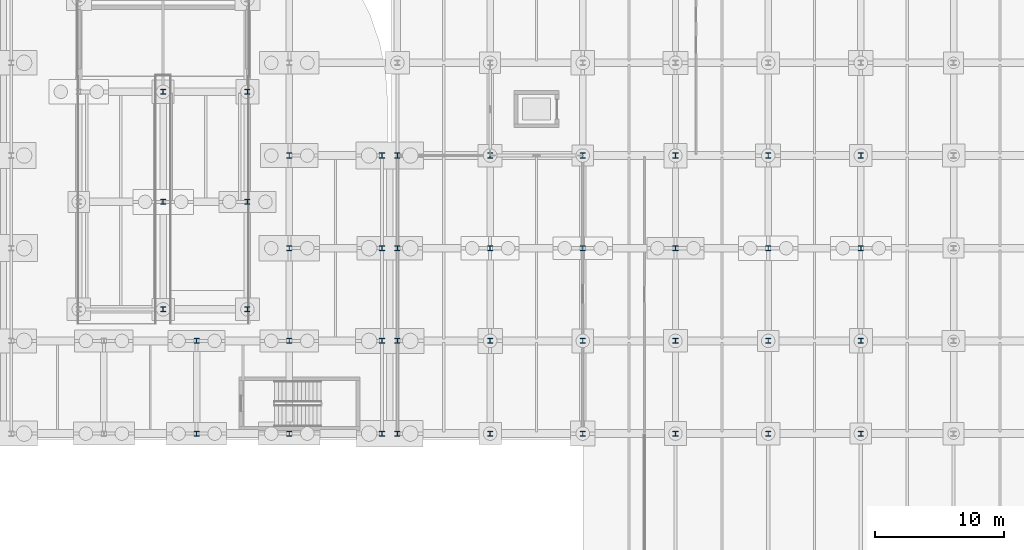
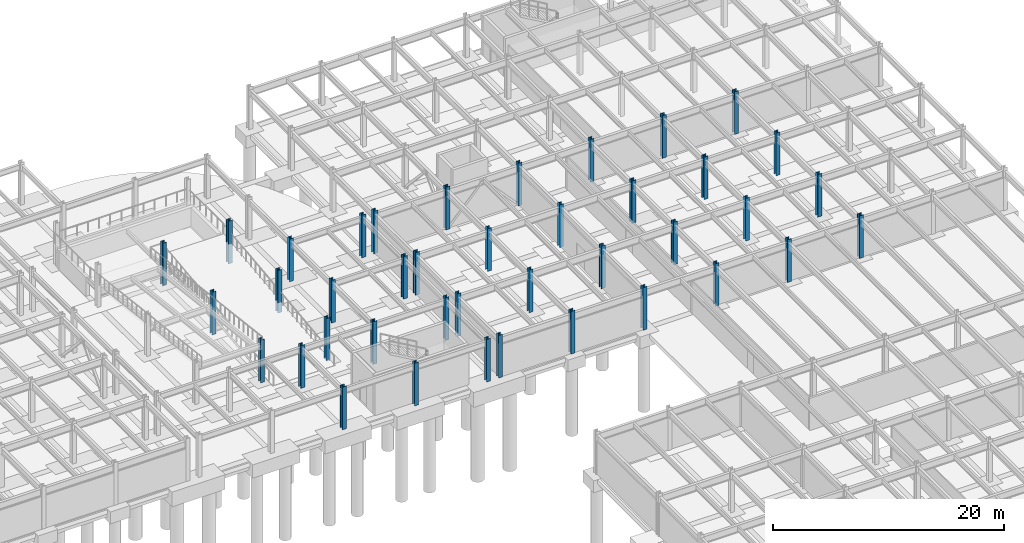
# One storey, part 25 of 54: 40 columns.
"""IFC4 building model written with IfcOpenShell, lengths in metres."""

from ifc_helpers import new_model, si_unit, direction, frame, origin, origin_2d, place, context, subcontext, project, spatial, i_section, extrude, material, material_profile, profile_set, type_object, element, save


model = new_model("IFC4")

# Units and contexts
model_context = context("Model", 3, precision=1e-05, world=origin(), true_north=direction((0.0, 1.0)))
body_context = subcontext(model_context, "Body", "Model", "MODEL_VIEW")
ifc_project = project(units=[si_unit("LENGTHUNIT", "METRE"), si_unit("AREAUNIT", "SQUARE_METRE"), si_unit("VOLUMEUNIT", "CUBIC_METRE"), si_unit("PLANEANGLEUNIT", "RADIAN"), si_unit("MASSUNIT", "GRAM", prefix="KILO")], contexts=[model_context])

# Site, building, storey
site_placement = place(None, origin())
site = spatial("IfcSite", under=ifc_project, at=site_placement, CompositionType="ELEMENT")
building_placement = place(site_placement, origin())
building = spatial("IfcBuilding", under=site, at=building_placement, Name="Vaelcorin Mobility Hub", CompositionType="ELEMENT")
storey_placement = place(building_placement, frame((0.0, 0.0, -4.5)))
storey = spatial("IfcBuildingStorey", under=building, at=storey_placement, Name="B1", CompositionType="ELEMENT", Elevation=-4.5)

# Columns
ifc_material = material(Name="Steel ASTM A992 Grade 50", Category="steel")
ifc_material_profile_1 = material_profile(ifc_material, i_section(OverallWidth=0.39599609375, OverallDepth=0.381103515625, WebThickness=0.018798828125, FlangeThickness=0.0302734375, FilletRadius=0.014892578125, at=origin_2d()), Name="W14X159")
ifc_profile_set_1 = profile_set([ifc_material_profile_1], Name="Steel ASTM A992 Grade 50")
column_type_1 = type_object("IfcColumnType", Name="COL-W14X159", PredefinedType="COLUMN", material=ifc_profile_set_1)
for number, where, z_axis, x_axis, name in (
    (1, (135.39990234375, 86.449951171875, 0.0), (0.0, 0.0, 1.0), (1.0, 0.0, 0.0), "Column V2E-RDRM-MS B1"),
    (2, (141.949951171875, 86.449951171875, 0.0), (0.0, 0.0, 1.0), (1.0, 0.0, 0.0), "Column V2E-RDRM-ES B1"),
    (3, (135.39990234375, 94.800048828125, 0.0), (0.0, 0.0, 1.0), (1.0, 0.0, 0.0), "Column V2E-RDRM-MC B1"),
    (4, (141.949951171875, 94.800048828125, 0.0), (0.0, 0.0, 1.0), (1.0, 0.0, 0.0), "Column V2E-RDRM-EC B1"),
    (5, (135.39990234375, 103.35009765625, 0.0), (0.0, 0.0, 1.0), (1.0, 0.0, 0.0), "Column V2E-RDRM-MN B1"),
    (6, (141.949951171875, 103.35009765625, 0.0), (0.0, 0.0, 1.0), (1.0, 0.0, 0.0), "Column V2E-RDRM-EN B1"),
):
    element("IfcColumn", number, at=place(storey_placement, frame(where, z_axis=z_axis, x_axis=x_axis)), inside=storey, type_object=column_type_1, Name=name, PredefinedType="COLUMN", context=body_context, shape_type="SweptSolid", body=[
        extrude(i_section(OverallWidth=0.39599609375, OverallDepth=0.381103515625, WebThickness=0.018798828125, FlangeThickness=0.0302734375, FilletRadius=0.014892578125, at=origin_2d()), origin(), (0.0, 0.0, 1.0), 4.5),
    ])
ifc_material_profile_2 = material_profile(ifc_material, i_section(OverallWidth=0.39892578125, OverallDepth=0.39404296875, WebThickness=0.022705078125, FlangeThickness=0.03662109375, FilletRadius=0.014892578125, at=origin_2d()), Name="W14X193")
ifc_profile_set_2 = profile_set([ifc_material_profile_2], Name="Steel ASTM A992 Grade 50")
column_type_2 = type_object("IfcColumnType", Name="COL-W14X193", PredefinedType="COLUMN", material=ifc_profile_set_2)
for number, where, z_axis, x_axis, name in (
    (7, (138.0, 76.800048828125, 0.0), (0.0, 0.0, 1.0), (1.0, 0.0, 0.0), "Column V2E-G3x1 B1"),
    (8, (138.0, 84.0, 0.0), (0.0, 0.0, 1.0), (1.0, 0.0, 0.0), "Column V2E-G3x2 B1"),
    (9, (145.199951171875, 76.800048828125, 0.0), (0.0, 0.0, 1.0), (1.0, 0.0, 0.0), "Column V2E-G4x1 B1"),
    (10, (145.199951171875, 84.0, 0.0), (0.0, 0.0, 1.0), (1.0, 0.0, 0.0), "Column V2E-G4x2 B1"),
    (11, (145.199951171875, 91.199951171875, 0.0), (0.0, 0.0, 1.0), (1.0, 0.0, 0.0), "Column V2E-G4x3 B1"),
    (12, (145.199951171875, 98.39990234375, 0.0), (0.0, 0.0, 1.0), (1.0, 0.0, 0.0), "Column V2E-G4x4 B1"),
    (13, (152.39990234375, 76.800048828125, 0.0), (0.0, 0.0, 1.0), (1.0, 0.0, 0.0), "Column V2E-G5x1 B1"),
    (14, (152.39990234375, 84.0, 0.0), (0.0, 0.0, 1.0), (1.0, 0.0, 0.0), "Column V2E-G5x2 B1"),
    (15, (152.39990234375, 91.199951171875, 0.0), (0.0, 0.0, 1.0), (1.0, 0.0, 0.0), "Column V2E-G5x3 B1"),
    (16, (152.39990234375, 98.39990234375, 0.0), (0.0, 0.0, 1.0), (1.0, 0.0, 0.0), "Column V2E-G5x4 B1"),
    (17, (153.60009765625, 76.800048828125, 0.0), (0.0, 0.0, 1.0), (1.0, 0.0, 0.0), "Column V5-X01Y09 B1"),
    (18, (153.60009765625, 84.0, 0.0), (0.0, 0.0, 1.0), (1.0, 0.0, 0.0), "Column V5-X01Y10 B1"),
    (19, (153.60009765625, 91.199951171875, 0.0), (0.0, 0.0, 1.0), (1.0, 0.0, 0.0), "Column V5-X01Y11 B1"),
    (20, (153.60009765625, 98.39990234375, 0.0), (0.0, 0.0, 1.0), (1.0, 0.0, 0.0), "Column V5-X01Y12 B1"),
    (21, (160.800048828125, 76.800048828125, 0.0), (0.0, 0.0, 1.0), (1.0, 0.0, 0.0), "Column V5-X02Y09 B1"),
    (22, (160.800048828125, 84.0, 0.0), (0.0, 0.0, 1.0), (1.0, 0.0, 0.0), "Column V5-X02Y10 B1"),
    (23, (160.800048828125, 91.199951171875, 0.0), (0.0, 0.0, 1.0), (1.0, 0.0, 0.0), "Column V5-X02Y11 B1"),
    (24, (160.800048828125, 98.39990234375, 0.0), (0.0, 0.0, 1.0), (1.0, 0.0, 0.0), "Column V5-X02Y12 B1"),
    (25, (168.0, 76.800048828125, 0.0), (0.0, 0.0, 1.0), (1.0, 0.0, 0.0), "Column V5-X03Y09 B1"),
    (26, (168.0, 84.0, 0.0), (0.0, 0.0, 1.0), (1.0, 0.0, 0.0), "Column V5-X03Y10 B1"),
    (27, (168.0, 91.199951171875, 0.0), (0.0, 0.0, 1.0), (1.0, 0.0, 0.0), "Column V5-X03Y11 B1"),
    (28, (168.0, 98.39990234375, 0.0), (0.0, 0.0, 1.0), (1.0, 0.0, 0.0), "Column V5-X03Y12 B1"),
    (29, (175.199951171875, 76.800048828125, 0.0), (0.0, 0.0, 1.0), (1.0, 0.0, 0.0), "Column V5-X04Y09 B1"),
    (30, (175.199951171875, 84.0, 0.0), (0.0, 0.0, 1.0), (1.0, 0.0, 0.0), "Column V5-X04Y10 B1"),
    (31, (175.199951171875, 91.199951171875, 0.0), (0.0, 0.0, 1.0), (1.0, 0.0, 0.0), "Column V5-X04Y11 B1"),
    (32, (175.199951171875, 98.39990234375, 0.0), (0.0, 0.0, 1.0), (1.0, 0.0, 0.0), "Column V5-X04Y12 B1"),
    (33, (182.39990234375, 76.800048828125, 0.0), (0.0, 0.0, 1.0), (1.0, 0.0, 0.0), "Column V5-X05Y09 B1"),
    (34, (182.39990234375, 84.0, 0.0), (0.0, 0.0, 1.0), (1.0, 0.0, 0.0), "Column V5-X05Y10 B1"),
    (35, (182.39990234375, 91.199951171875, 0.0), (0.0, 0.0, 1.0), (1.0, 0.0, 0.0), "Column V5-X05Y11 B1"),
    (36, (182.39990234375, 98.39990234375, 0.0), (0.0, 0.0, 1.0), (1.0, 0.0, 0.0), "Column V5-X05Y12 B1"),
    (37, (189.60009765625, 76.800048828125, 0.0), (0.0, 0.0, 1.0), (1.0, 0.0, 0.0), "Column V5-X06Y09 B1"),
    (38, (189.60009765625, 84.0, 0.0), (0.0, 0.0, 1.0), (1.0, 0.0, 0.0), "Column V5-X06Y10 B1"),
    (39, (189.60009765625, 91.199951171875, 0.0), (0.0, 0.0, 1.0), (1.0, 0.0, 0.0), "Column V5-X06Y11 B1"),
    (40, (189.60009765625, 98.39990234375, 0.0), (0.0, 0.0, 1.0), (1.0, 0.0, 0.0), "Column V5-X06Y12 B1"),
):
    element("IfcColumn", number, at=place(storey_placement, frame(where, z_axis=z_axis, x_axis=x_axis)), inside=storey, type_object=column_type_2, Name=name, PredefinedType="COLUMN", context=body_context, shape_type="SweptSolid", body=[
        extrude(i_section(OverallWidth=0.39892578125, OverallDepth=0.39404296875, WebThickness=0.022705078125, FlangeThickness=0.03662109375, FilletRadius=0.014892578125, at=origin_2d()), origin(), (0.0, 0.0, 1.0), 4.5),
    ])

save(model, "model.ifc")
